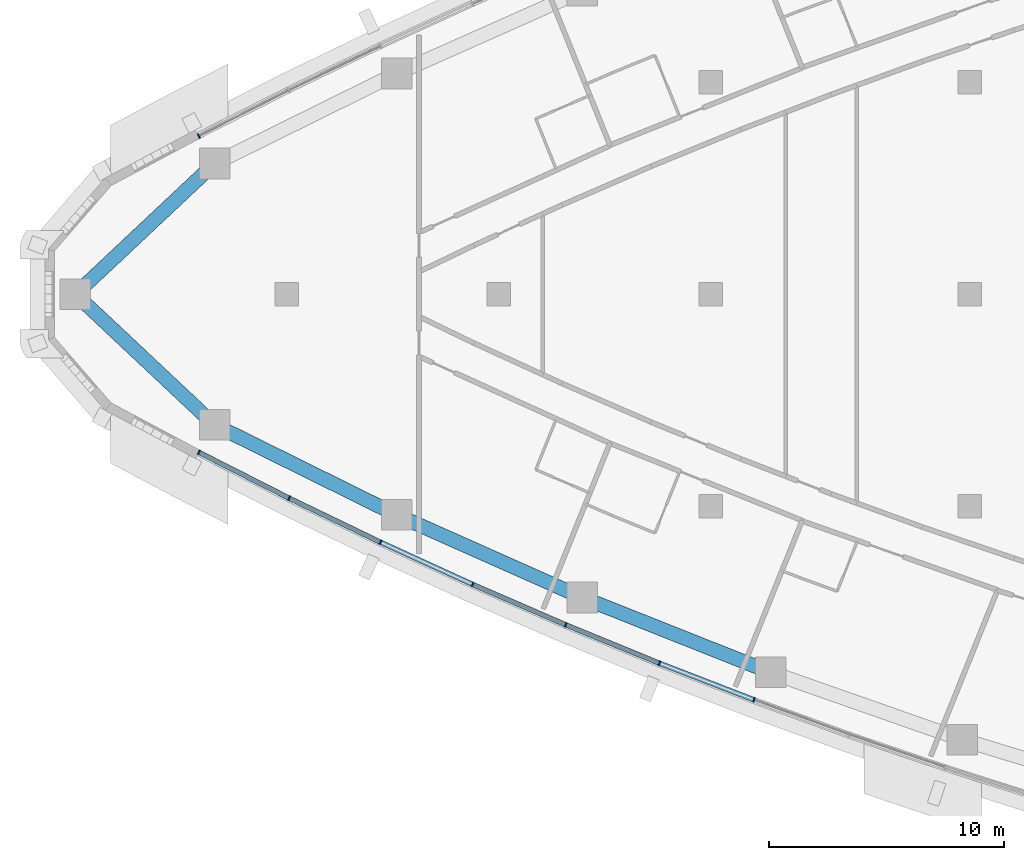
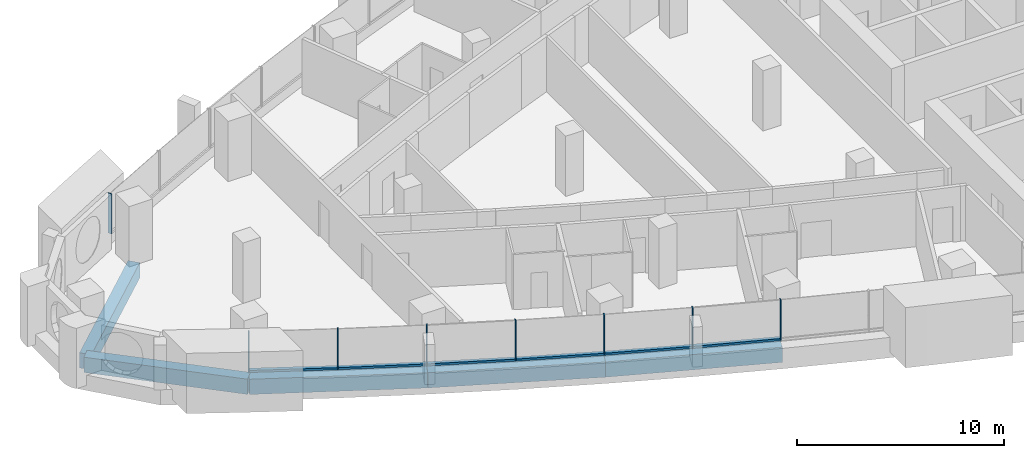
# One storey, part 2 of 17: 14 members, 5 beams, 4 elements without a shape of their own.
"""IFC4 building model written with IfcOpenShell, lengths in metres."""

from ifc_helpers import new_model, si_unit, direction, frame, origin, origin_2d, place, context, subcontext, project, spatial, rectangle, extrude, material, layer, layer_set, material_profile, profile_set, type_object, element, aggregate, save


model = new_model("IFC4")

# Units and contexts
model_context = context("Model", 3, precision=1e-05, world=origin(), true_north=direction((0.0, 1.0)))
body_context = subcontext(model_context, "Body", "Model", "MODEL_VIEW")
ifc_project = project(units=[si_unit("LENGTHUNIT", "METRE"), si_unit("AREAUNIT", "SQUARE_METRE"), si_unit("VOLUMEUNIT", "CUBIC_METRE"), si_unit("PLANEANGLEUNIT", "RADIAN"), si_unit("MASSUNIT", "GRAM", prefix="KILO")], contexts=[model_context])

# Site, building, storey
site_placement = place(None, origin())
site = spatial("IfcSite", under=ifc_project, at=site_placement, CompositionType="ELEMENT")
building_placement = place(site_placement, origin())
building = spatial("IfcBuilding", under=site, at=building_placement, Name="Ostrand Prow Hotel Tower", CompositionType="ELEMENT")
storey_placement = place(building_placement, frame((0.0, 0.0, 193.25)))
storey = spatial("IfcBuildingStorey", under=building, at=storey_placement, Name="L48", CompositionType="ELEMENT", Elevation=193.25)

# Beams
ifc_material_1 = material(Name="Concrete C60/75", Category="concrete")
ifc_material_profile_1 = material_profile(ifc_material_1, rectangle(XDim=0.60009765625, YDim=0.89990234375, at=origin_2d()), Name="RC 600x900")
ifc_profile_set_1 = profile_set([ifc_material_profile_1], Name="Concrete C60/75")
beam_type = type_object("IfcBeamType", Name="Edge beam 600x900 C60/75", PredefinedType="SPANDREL", material=ifc_profile_set_1)
beam_1_placement = place(storey_placement, frame((7.01708984375, 0.0, -0.75), z_axis=(0.728960507808, -0.684555752336, 0.0), x_axis=(0.684555752336, 0.728960507808, 0.0)))
element("IfcBeam", 1, at=beam_1_placement, inside=storey, type_object=beam_type, Name="Edge beam P-S1", PredefinedType="SPANDREL", context=body_context, shape_type="SweptSolid", body=[
    extrude(rectangle(XDim=0.60009765625, YDim=0.89990234375, at=origin_2d()), origin(), (0.0, 0.0, 1.0), 8.109619140625),
])
beam_2_placement = place(storey_placement, frame((12.9287109375, -5.551513671875, -0.75), z_axis=(0.896383774903, -0.443278837856, 0.0), x_axis=(0.443278837856, 0.896383774903, 0.0)))
element("IfcBeam", 2, at=beam_2_placement, inside=storey, type_object=beam_type, Name="Edge beam S1-S2", PredefinedType="SPANDREL", context=body_context, shape_type="SweptSolid", body=[
    extrude(rectangle(XDim=0.60009765625, YDim=0.89990234375, at=origin_2d()), origin(), (0.0, 0.0, 1.0), 8.62158203125),
])
for number, where, z_axis, x_axis, name in (
    (3, (20.656982421875, -9.373291015625, -0.75), (0.91364332073, -0.406516767779, 0.0), (0.406516767779, 0.91364332073, 0.0), "Edge beam S2-S3"),
    (4, (28.5341796875, -12.878173828125, -0.75), (0.929376173753, -0.36913402398, 0.0), (0.36913402398, 0.929376173753, 0.0), "Edge beam S3-S4"),
):
    element("IfcBeam", number, at=place(storey_placement, frame(where, z_axis=z_axis, x_axis=x_axis)), inside=storey, type_object=beam_type, Name=name, PredefinedType="SPANDREL", context=body_context, shape_type="SweptSolid", body=[
        extrude(rectangle(XDim=0.60009765625, YDim=0.89990234375, at=origin_2d()), origin(), (0.0, 0.0, 1.0), 8.621826171875),
    ])
beam_3_placement = place(storey_placement, frame((12.9287109375, 5.551513671875, -0.75), z_axis=(-0.728960507808, -0.684555752336, 0.0), x_axis=(0.684555752336, -0.728960507808, 0.0)))
element("IfcBeam", 5, at=beam_3_placement, inside=storey, type_object=beam_type, Name="Edge beam N6-P", PredefinedType="SPANDREL", context=body_context, shape_type="SweptSolid", body=[
    extrude(rectangle(XDim=0.60009765625, YDim=0.89990234375, at=origin_2d()), origin(), (0.0, 0.0, 1.0), 8.109619140625),
])

# Curtain wall, members
ifc_material_2 = material(Name="Insulated glass in bronze anodised frame", Category="glass")
ifc_layer = layer(ifc_material_2, 0.199951171875)
ifc_layer_set = layer_set([ifc_layer], Name="Insulated glass in bronze anodised frame")
curtain_wall_type = type_object("IfcCurtainWallType", Name="Strip curtain wall, fritted glass over bronze spandrel", PredefinedType="NOTDEFINED", material=ifc_layer_set)
curtain_wall_1_placement = place(storey_placement, origin())
curtain_wall_1 = element("IfcCurtainWall", 6, at=curtain_wall_1_placement, inside=storey, type_object=curtain_wall_type, Name="CW1 run CWS1", PredefinedType="NOTDEFINED")
ifc_material_3 = material(Name="Bronze anodised aluminium", Category="aluminium")
ifc_material_profile_2 = material_profile(ifc_material_3, rectangle(XDim=0.199951171875, YDim=0.06005859375, at=origin_2d()), Name="Mullion 60x200 bronze anodised aluminium")
ifc_profile_set_2 = profile_set([ifc_material_profile_2], Name="Bronze anodised aluminium")
member_type_1 = type_object("IfcMemberType", Name="Mullion 60x200 bronze anodised aluminium", PredefinedType="MULLION", material=ifc_profile_set_2)
member_1_placement = place(storey_placement, frame((12.255859375, -6.71240234375, 0.89990234375), z_axis=(0.0, 0.0, 1.0), x_axis=(0.452658828186, 0.891683792196, 0.0)))
member_1 = element("IfcMember", 7, at=member_1_placement, type_object=member_type_1, Name="CW1 mullion 1", PredefinedType="MULLION", context=body_context, shape_type="SweptSolid", body=[
    extrude(rectangle(XDim=0.199951171875, YDim=0.06005859375, at=origin_2d()), origin(), (0.0, 0.0, 1.0), 2.35009765625),
])
member_2_placement = place(storey_placement, frame((16.0947265625, -8.660888671875, 0.89990234375), z_axis=(0.0, 0.0, 1.0), x_axis=(0.434615027304, 0.90061633232, 0.0)))
member_2 = element("IfcMember", 8, at=member_2_placement, type_object=member_type_1, Name="CW1 mullion 2", PredefinedType="MULLION", context=body_context, shape_type="SweptSolid", body=[
    extrude(rectangle(XDim=0.199951171875, YDim=0.06005859375, at=origin_2d()), origin(), (0.0, 0.0, 1.0), 2.35009765625),
])
member_3_placement = place(storey_placement, frame((19.971923828125, -10.531982421875, 0.89990234375), z_axis=(0.0, 0.0, 1.0), x_axis=(0.434615027304, 0.90061633232, 0.0)))
member_3 = element("IfcMember", 9, at=member_3_placement, type_object=member_type_1, Name="CW1 mullion 3", PredefinedType="MULLION", context=body_context, shape_type="SweptSolid", body=[
    extrude(rectangle(XDim=0.199951171875, YDim=0.06005859375, at=origin_2d()), origin(), (0.0, 0.0, 1.0), 2.35009765625),
])

curtain_wall_2_placement = place(storey_placement, origin())
curtain_wall_2 = element("IfcCurtainWall", 10, at=curtain_wall_2_placement, inside=storey, type_object=curtain_wall_type, Name="CW1 run CWS2", PredefinedType="NOTDEFINED")
member_4_placement = place(storey_placement, frame((23.885986328125, -12.32470703125, 0.89990234375), z_axis=(0.0, 0.0, 1.0), x_axis=(0.398004671812, 0.917383388347, 0.0)))
member_4 = element("IfcMember", 11, at=member_4_placement, type_object=member_type_1, Name="CW1 mullion 2", PredefinedType="MULLION", context=body_context, shape_type="SweptSolid", body=[
    extrude(rectangle(XDim=0.199951171875, YDim=0.06005859375, at=origin_2d()), origin(), (0.0, 0.0, 1.0), 2.35009765625),
])
member_5_placement = place(storey_placement, frame((27.83544921875, -14.0380859375, 0.89990234375), z_axis=(0.0, 0.0, 1.0), x_axis=(0.398004671812, 0.917383388347, 0.0)))
member_5 = element("IfcMember", 12, at=member_5_placement, type_object=member_type_1, Name="CW1 mullion 3", PredefinedType="MULLION", context=body_context, shape_type="SweptSolid", body=[
    extrude(rectangle(XDim=0.199951171875, YDim=0.06005859375, at=origin_2d()), origin(), (0.0, 0.0, 1.0), 2.35009765625),
])

curtain_wall_3_placement = place(storey_placement, origin())
curtain_wall_3 = element("IfcCurtainWall", 13, at=curtain_wall_3_placement, inside=storey, type_object=curtain_wall_type, Name="CW1 run CWS3", PredefinedType="NOTDEFINED")
member_6_placement = place(storey_placement, frame((31.818603515625, -15.671630859375, 0.89990234375), z_axis=(0.0, 0.0, 1.0), x_axis=(0.360748970732, 0.932662950972, 0.0)))
member_6 = element("IfcMember", 14, at=member_6_placement, type_object=member_type_1, Name="CW1 mullion 2", PredefinedType="MULLION", context=body_context, shape_type="SweptSolid", body=[
    extrude(rectangle(XDim=0.199951171875, YDim=0.06005859375, at=origin_2d()), origin(), (0.0, 0.0, 1.0), 2.35009765625),
])
member_7_placement = place(storey_placement, frame((35.833740234375, -17.224609375, 0.89990234375), z_axis=(0.0, 0.0, 1.0), x_axis=(0.360748970732, 0.932662950972, 0.0)))
member_7 = element("IfcMember", 15, at=member_7_placement, type_object=member_type_1, Name="CW1 mullion 3", PredefinedType="MULLION", context=body_context, shape_type="SweptSolid", body=[
    extrude(rectangle(XDim=0.199951171875, YDim=0.06005859375, at=origin_2d()), origin(), (0.0, 0.0, 1.0), 2.35009765625),
])

# Curtain wall, member
curtain_wall_4_placement = place(storey_placement, origin())
curtain_wall_4 = element("IfcCurtainWall", 16, at=curtain_wall_4_placement, inside=storey, type_object=curtain_wall_type, Name="CW1 run CWN5", PredefinedType="NOTDEFINED")
member_8_placement = place(storey_placement, frame((12.255859375, 6.71240234375, 0.89990234375), z_axis=(0.0, 0.0, 1.0), x_axis=(0.452658828186, -0.891683792196, 0.0)))
member_8 = element("IfcMember", 17, at=member_8_placement, type_object=member_type_1, Name="CW1 mullion 3", PredefinedType="MULLION", context=body_context, shape_type="SweptSolid", body=[
    extrude(rectangle(XDim=0.199951171875, YDim=0.06005859375, at=origin_2d()), origin(), (0.0, 0.0, 1.0), 2.35009765625),
])
aggregate(curtain_wall_4, [member_8])

# Member
ifc_material_4 = material(Name="Bronze anodised aluminium", Category="aluminium")
ifc_material_profile_3 = material_profile(ifc_material_4, rectangle(XDim=0.199951171875, YDim=0.1201171875, at=origin_2d()), Name="Transom 120x200 bronze anodised aluminium")
ifc_profile_set_3 = profile_set([ifc_material_profile_3], Name="Bronze anodised aluminium")
member_type_2 = type_object("IfcMemberType", Name="Transom 120x200 bronze anodised aluminium", PredefinedType="USERDEFINED", material=ifc_profile_set_3)
member_9_placement = place(storey_placement, frame((12.28271484375, -6.725830078125, 0.9599609375), z_axis=(0.891672840777, -0.452680400526, 0.0), x_axis=(0.452680400526, 0.891672840777, 0.0)))
member_9 = element("IfcMember", 18, at=member_9_placement, type_object=member_type_2, Name="CW1 transom 1.1", ObjectType="TRANSOM", PredefinedType="USERDEFINED", context=body_context, shape_type="SweptSolid", body=[
    extrude(rectangle(XDim=0.199951171875, YDim=0.1201171875, at=origin_2d()), origin(), (0.0, 0.0, 1.0), 4.2451171875),
])

member_10_placement = place(storey_placement, frame((16.12158203125, -8.674072265625, 0.9599609375), z_axis=(0.900619174345, -0.434609137965, 0.0), x_axis=(0.434609137965, 0.900619174345, 0.0)))
member_10 = element("IfcMember", 19, at=member_10_placement, type_object=member_type_2, Name="CW1 transom 2.1", ObjectType="TRANSOM", PredefinedType="USERDEFINED", context=body_context, shape_type="SweptSolid", body=[
    extrude(rectangle(XDim=0.199951171875, YDim=0.1201171875, at=origin_2d()), origin(), (0.0, 0.0, 1.0), 4.2451171875),
])

aggregate(curtain_wall_1, [member_1, member_2, member_3, member_9, member_10])

member_11_placement = place(storey_placement, frame((19.999267578125, -10.54443359375, 0.9599609375), z_axis=(0.909159196143, -0.416448743628, 0.0), x_axis=(0.416448743628, 0.909159196143, 0.0)))
member_11 = element("IfcMember", 20, at=member_11_placement, type_object=member_type_2, Name="CW1 transom 1.1", ObjectType="TRANSOM", PredefinedType="USERDEFINED", context=body_context, shape_type="SweptSolid", body=[
    extrude(rectangle(XDim=0.199951171875, YDim=0.1201171875, at=origin_2d()), origin(), (0.0, 0.0, 1.0), 4.244873046875),
])

member_12_placement = place(storey_placement, frame((23.91357421875, -12.336669921875, 0.9599609375), z_axis=(0.917389785482, -0.397989926371, 0.0), x_axis=(0.397989926371, 0.917389785482, 0.0)))
member_12 = element("IfcMember", 21, at=member_12_placement, type_object=member_type_2, Name="CW1 transom 2.1", ObjectType="TRANSOM", PredefinedType="USERDEFINED", context=body_context, shape_type="SweptSolid", body=[
    extrude(rectangle(XDim=0.199951171875, YDim=0.1201171875, at=origin_2d()), origin(), (0.0, 0.0, 1.0), 4.244873046875),
])

aggregate(curtain_wall_2, [member_4, member_5, member_11, member_12])

member_13_placement = place(storey_placement, frame((27.863037109375, -14.049560546875, 0.9599609375), z_axis=(0.925213143858, -0.379447807258, 0.0), x_axis=(0.379447807258, 0.925213143858, 0.0)))
member_13 = element("IfcMember", 22, at=member_13_placement, type_object=member_type_2, Name="CW1 transom 1.1", ObjectType="TRANSOM", PredefinedType="USERDEFINED", context=body_context, shape_type="SweptSolid", body=[
    extrude(rectangle(XDim=0.199951171875, YDim=0.1201171875, at=origin_2d()), origin(), (0.0, 0.0, 1.0), 4.2451171875),
])

member_14_placement = place(storey_placement, frame((31.846435546875, -15.6826171875, 0.9599609375), z_axis=(0.932675482501, -0.360716570651, 0.0), x_axis=(0.360716570651, 0.932675482501, 0.0)))
member_14 = element("IfcMember", 23, at=member_14_placement, type_object=member_type_2, Name="CW1 transom 2.1", ObjectType="TRANSOM", PredefinedType="USERDEFINED", context=body_context, shape_type="SweptSolid", body=[
    extrude(rectangle(XDim=0.199951171875, YDim=0.1201171875, at=origin_2d()), origin(), (0.0, 0.0, 1.0), 4.2451171875),
])

aggregate(curtain_wall_3, [member_6, member_7, member_13, member_14])

save(model, "model.ifc")
